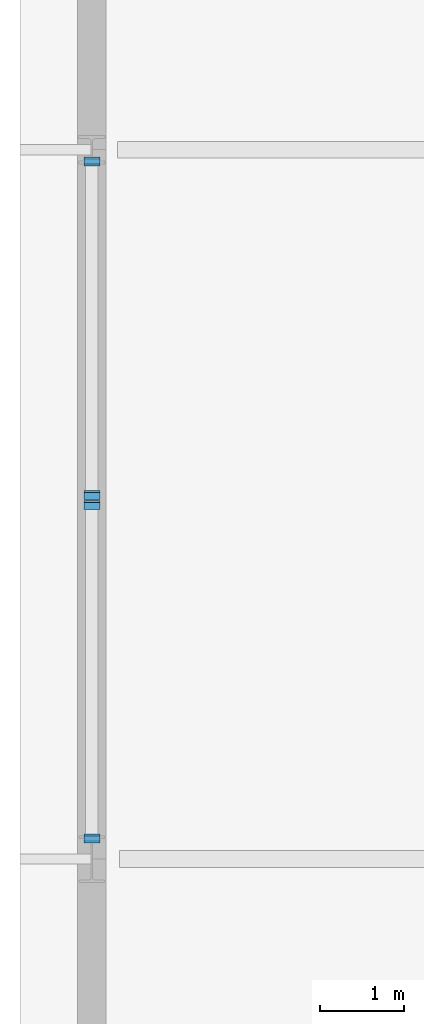
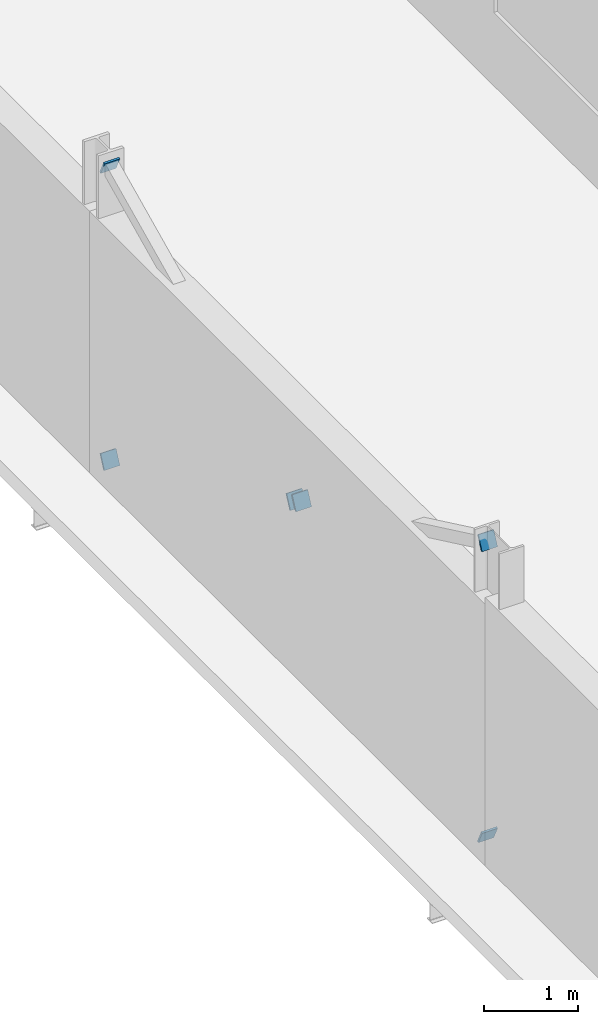
# One storey, part 106 of 138: 6 plates.
"""IFC4 building model written with IfcOpenShell, lengths in metres."""

import ifcopenshell
import ifcopenshell.guid

model = None  # the IFC model being written
_history = None  # IfcOwnerHistory: only IFC2X3 demands one
_inside = {}  # id of a spatial element -> (the spatial element, [elements in it])
_under = {}  # id of a project, library or spatial element -> (it, [spatial elements below it])
_declared = {}  # id of a project -> (the project, [libraries it declares])
_typed = {}  # id of a type object -> (the type object, [elements of that type])
_made_of = {}  # id of a material, layer set ... -> (it, [elements and type objects made of it])


def new_model(schema):
    """Start an empty IFC model of exactly this schema.

    Asked for "IFC4X3", IfcOpenShell would pick the latest addendum, in which some entities
    have other attributes; the version numbers below select the first issue.
    IFC2X3 requires an IfcOwnerHistory on every rooted entity: one is made here for all.
    """
    global model, _history
    if schema == "IFC4X3":
        model = ifcopenshell.file(schema_version=(4, 3, 0, 0))
    else:
        model = ifcopenshell.file(schema=schema)
    _inside.clear()
    _under.clear()
    _declared.clear()
    _typed.clear()
    _made_of.clear()
    _history = None
    if model.schema == "IFC2X3":
        org = make("IfcOrganization", Name="unknown")
        user = make(
            "IfcPersonAndOrganization",
            ThePerson=make("IfcPerson", FamilyName="unknown"),
            TheOrganization=org,
        )
        app = make(
            "IfcApplication",
            ApplicationDeveloper=org,
            Version="unknown",
            ApplicationFullName="unknown",
            ApplicationIdentifier="unknown",
        )
        _history = make(
            "IfcOwnerHistory",
            OwningUser=user,
            OwningApplication=app,
            ChangeAction="ADDED",
            CreationDate=0,
        )
    return model


def make(cls, **values):
    """One entity of the class cls with the attributes given. An attribute that is None is left unset."""
    return model.create_entity(
        cls, **{name: value for name, value in values.items() if value is not None}
    )


def rooted(cls, **values):
    """An entity with a GlobalId (a new one), such as an element, a storey or a relation."""
    return make(cls, GlobalId=ifcopenshell.guid.new(), OwnerHistory=_history, **values)


def si_unit(unit_type, name, prefix=None):
    """IfcSIUnit, for example si_unit("LENGTHUNIT", "METRE", prefix="MILLI")."""
    return make("IfcSIUnit", UnitType=unit_type, Prefix=prefix, Name=name)


def assignment(units):
    """IfcUnitAssignment: the units of a project."""
    return None if units is None else make("IfcUnitAssignment", Units=units)


def point(xyz):
    """IfcCartesianPoint."""
    return None if xyz is None else make("IfcCartesianPoint", Coordinates=xyz)


def direction(xyz):
    """IfcDirection."""
    return None if xyz is None else make("IfcDirection", DirectionRatios=xyz)


def frame(location, z_axis=None, x_axis=None):
    """IfcAxis2Placement3D, a coordinate frame: its origin and axes. An axis left out is left unset."""
    return make(
        "IfcAxis2Placement3D",
        Location=point(location),
        Axis=direction(z_axis),
        RefDirection=direction(x_axis),
    )


def frame_2d(location, x_axis=None):
    """IfcAxis2Placement2D, a coordinate frame in the plane: its origin and x axis."""
    return make(
        "IfcAxis2Placement2D", Location=point(location), RefDirection=direction(x_axis)
    )


def origin():
    """The frame at (0, 0, 0) with its axes left unset."""
    return frame((0.0, 0.0, 0.0))


def origin_2d():
    """The frame at (0, 0) in the plane with its x axis left unset."""
    return frame_2d((0.0, 0.0))


def place(relative_to, where):
    """IfcLocalPlacement: puts the frame where relative to a parent placement (None: the world)."""
    return make(
        "IfcLocalPlacement", PlacementRelTo=relative_to, RelativePlacement=where
    )


def context(
    kind, dimensions, precision=None, world=None, true_north=None, identifier=None
):
    """IfcGeometricRepresentationContext, for example the 3D "Model" context."""
    return make(
        "IfcGeometricRepresentationContext",
        ContextIdentifier=identifier,
        ContextType=kind,
        CoordinateSpaceDimension=dimensions,
        Precision=precision,
        WorldCoordinateSystem=world,
        TrueNorth=true_north,
    )


def subcontext(parent, identifier, kind, view, scale=None):
    """IfcGeometricRepresentationSubContext, for example "Body" below "Model"."""
    return make(
        "IfcGeometricRepresentationSubContext",
        ContextIdentifier=identifier,
        ContextType=kind,
        ParentContext=parent,
        TargetScale=scale,
        TargetView=view,
    )


def project(units=None, contexts=None):
    """IfcProject with its units and contexts."""
    return rooted(
        "IfcProject",
        Name="project",
        RepresentationContexts=contexts,
        UnitsInContext=assignment(units),
    )


def spatial(cls, under=None, at=None, **own):
    """A site, building, storey or space (cls), placed at a placement, below another one or the project."""
    s = rooted(cls, ObjectPlacement=at, **own)
    if under is not None:
        _under.setdefault(under.id(), (under, []))[1].append(s)
    return s


def profile(cls, at=None, kind="AREA", **sizes):
    """A parametric profile (cls). Its sizes go by their IFC names, for example OverallWidth=200.0."""
    return make(cls, ProfileType=kind, Position=at, **sizes)


def rectangle(**sizes):
    """IfcRectangleProfileDef."""
    return profile("IfcRectangleProfileDef", **sizes)


def extrude(swept, where, along, depth):
    """IfcExtrudedAreaSolid: the profile swept, set in the frame where, extruded along a direction by depth."""
    return make(
        "IfcExtrudedAreaSolid",
        SweptArea=swept,
        Position=where,
        ExtrudedDirection=direction(along),
        Depth=depth,
    )


def shape(context_of_items, identifier, shape_type, items):
    """IfcShapeRepresentation: the items that make up one representation, for example the "Body"."""
    return make(
        "IfcShapeRepresentation",
        ContextOfItems=context_of_items,
        RepresentationIdentifier=identifier,
        RepresentationType=shape_type,
        Items=items,
    )


def material(Name=None, Category=None):
    """IfcMaterial."""
    return make("IfcMaterial", Name=Name, Category=Category)


def material_profile(
    of_material, cross_section, Name=None, Category=None, Priority=None
):
    """IfcMaterialProfile: a cross section and its material."""
    return make(
        "IfcMaterialProfile",
        Name=Name,
        Material=of_material,
        Profile=cross_section,
        Priority=Priority,
        Category=Category,
    )


def profile_set(profiles, Name=None, composite=None):
    """IfcMaterialProfileSet."""
    return make(
        "IfcMaterialProfileSet",
        Name=Name,
        MaterialProfiles=profiles,
        CompositeProfile=composite,
    )


def made_of(thing, what):
    """Note that an element or type object is made of a material, layer set ...; save() writes the relation."""
    if what is not None:
        _made_of.setdefault(what.id(), (what, []))[1].append(thing)
    return thing


def type_object(cls, material=None, **own):
    """A type object (cls), such as IfcWallType, which elements share."""
    return made_of(rooted(cls, **own), material)


def element(
    cls,
    number,
    at=None,
    inside=None,
    cuts=None,
    type_object=None,
    material=None,
    context=None,
    identifier="Body",
    shape_type=None,
    held_by="IfcProductDefinitionShape",
    body=None,
    shapes=None,
    **own,
):
    """One element of the class cls, such as IfcWall. Its Tag is "e" and its number.

    at: its placement. inside: the storey or other place that contains it. cuts: it is an
    opening in that element (IfcRelVoidsElement). A single representation is given by context,
    identifier, shape_type and body (its items); several are given by shapes. held_by: the class
    of the entity that holds the representations. save() writes the other relations.
    """
    e = rooted(cls, Tag="e%d" % number, ObjectPlacement=at, **own)
    if body is not None:
        shapes = [shape(context, identifier, shape_type, body)]
    if shapes is not None:
        e.Representation = make(held_by, Representations=shapes)
    if inside is not None:
        _inside.setdefault(inside.id(), (inside, []))[1].append(e)
    if cuts is not None:
        rooted(
            "IfcRelVoidsElement", RelatingBuildingElement=cuts, RelatedOpeningElement=e
        )
    if type_object is not None:
        _typed.setdefault(type_object.id(), (type_object, []))[1].append(e)
    return made_of(e, material)


def aggregate(whole, parts):
    """IfcRelAggregates: a whole, such as a stair, and the parts it consists of."""
    return rooted("IfcRelAggregates", RelatingObject=whole, RelatedObjects=parts)


def save(model, path):
    """Write the relations noted so far, then the file.

    IfcRelAggregates (storeys below a building ...), IfcRelContainedInSpatialStructure (elements
    in a storey), IfcRelDefinesByType, IfcRelAssociatesMaterial and IfcRelDeclares: one each for
    every whole, place, type object, material and project.
    """
    for whole, parts in _under.values():
        aggregate(whole, parts)
    for where, things in _inside.values():
        rooted(
            "IfcRelContainedInSpatialStructure",
            RelatedElements=things,
            RelatingStructure=where,
        )
    for kind, things in _typed.values():
        rooted("IfcRelDefinesByType", RelatedObjects=things, RelatingType=kind)
    for what, things in _made_of.values():
        rooted("IfcRelAssociatesMaterial", RelatedObjects=things, RelatingMaterial=what)
    for by, libraries in _declared.values():
        rooted("IfcRelDeclares", RelatingContext=by, RelatedDefinitions=libraries)
    model.write(path)


model = new_model("IFC4")

# Units and contexts
model_context = context("Model", 3, precision=1e-05, world=origin(), true_north=direction((0.0, 1.0)))
body_context = subcontext(model_context, "Body", "Model", "MODEL_VIEW")
ifc_project = project(units=[si_unit("LENGTHUNIT", "METRE"), si_unit("AREAUNIT", "SQUARE_METRE"), si_unit("VOLUMEUNIT", "CUBIC_METRE"), si_unit("PLANEANGLEUNIT", "RADIAN"), si_unit("MASSUNIT", "GRAM", prefix="KILO")], contexts=[model_context])

# Site, building, storey
site_placement = place(None, origin())
site = spatial("IfcSite", under=ifc_project, at=site_placement, CompositionType="ELEMENT")
building_placement = place(site_placement, origin())
building = spatial("IfcBuilding", under=site, at=building_placement, Name="Vinh Khe Railworks Police Headquarters", CompositionType="ELEMENT")
storey_placement = place(building_placement, frame((0.0, 0.0, 9.0)))
storey = spatial("IfcBuildingStorey", under=building, at=storey_placement, Name="L02", CompositionType="ELEMENT", Elevation=9.0)

# Plates
ifc_material = material(Name="Steel S355JR", Category="steel")
ifc_material_profile = material_profile(ifc_material, rectangle(XDim=0.18994140625, YDim=0.18994140625, at=origin_2d()), Name="PL 190x190")
ifc_profile_set = profile_set([ifc_material_profile], Name="Steel S355JR")
plate_type = type_object("IfcPlateType", Name="Steel End-Cap Plate 190x190x24", PredefinedType="SHEET", material=ifc_profile_set)
for number, where, z_axis, x_axis, name in (
    (1, (0.60009765625, 96.2548828125, 0.199951171875), (0.0, -0.902481037784, -0.430729586215), (1.0, 0.0, 0.0), "End-Cap Gusset Plate PLT-EP-0057"),
    (2, (0.60009765625, 96.2548828125, 4.0), (0.0, -0.902481037784, 0.430729586215), (1.0, 0.0, 0.0), "End-Cap Gusset Plate PLT-EP-0058"),
    (3, (0.60009765625, 100.18212890625, 2.133544921875), (0.0, 0.904357603074, -0.42677549808), (-1.0, 0.0, 0.0), "End-Cap Gusset Plate PLT-EP-0072"),
):
    element("IfcPlate", number, at=place(storey_placement, frame(where, z_axis=z_axis, x_axis=x_axis)), inside=storey, type_object=plate_type, Name=name, PredefinedType="SHEET", context=body_context, shape_type="SweptSolid", body=[
        extrude(rectangle(XDim=0.18994140625, YDim=0.18994140625, at=origin_2d()), origin(), (0.0, 0.0, 1.0), 0.02392578125),
    ])
plate_placement = place(storey_placement, frame((0.60009765625, 100.322998046875, 2.06640625), z_axis=(0.0, -0.900415007239, 0.43503196979), x_axis=(1.0, 0.0, 0.0)))
element("IfcPlate", 4, at=plate_placement, inside=storey, type_object=plate_type, Name="End-Cap Gusset Plate PLT-EP-0079", PredefinedType="SHEET", context=body_context, shape_type="SweptSolid", body=[
    extrude(rectangle(XDim=0.18994140625, YDim=0.18994140625, at=origin_2d()), origin(), (0.0, 0.0, 1.0), 0.024169921875),
])
for number, where, z_axis, x_axis, name in (
    (5, (0.60009765625, 104.25, 0.199951171875), (0.0, 0.904357603074, -0.42677549808), (-1.0, 0.0, 0.0), "End-Cap Gusset Plate PLT-EP-0089"),
    (6, (0.60009765625, 104.25, 4.0), (0.0, 0.904357603074, 0.42677549808), (-1.0, 0.0, 0.0), "End-Cap Gusset Plate PLT-EP-0090"),
):
    element("IfcPlate", number, at=place(storey_placement, frame(where, z_axis=z_axis, x_axis=x_axis)), inside=storey, type_object=plate_type, Name=name, PredefinedType="SHEET", context=body_context, shape_type="SweptSolid", body=[
        extrude(rectangle(XDim=0.18994140625, YDim=0.18994140625, at=origin_2d()), origin(), (0.0, 0.0, 1.0), 0.02392578125),
    ])

save(model, "model.ifc")
